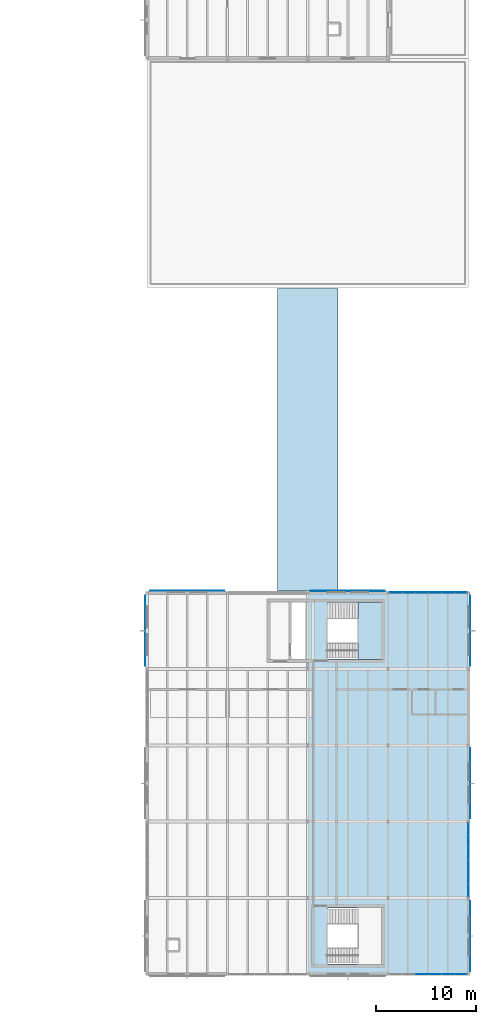
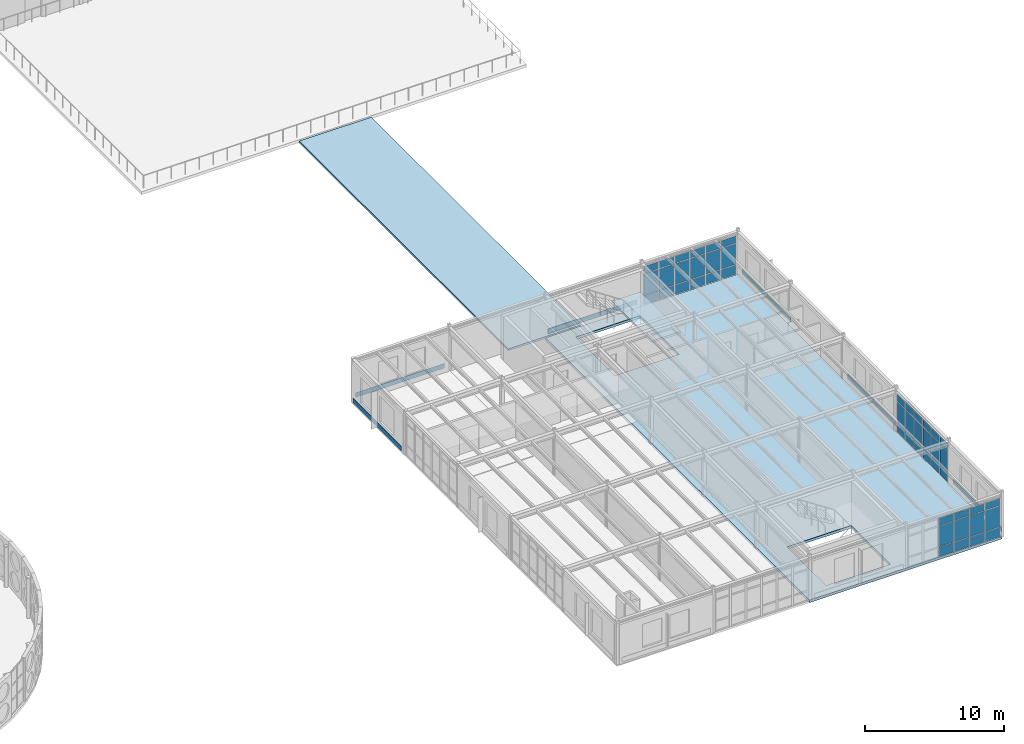
# One storey, part 76 of 114: 54 plates, 3 slabs, 4 elements without a shape of their own.
"""IFC4 building model written with IfcOpenShell, lengths in metres."""

from ifc_helpers import new_model, si_unit, direction, frame, origin, origin_2d, place, context, subcontext, project, spatial, polyline, rectangle, outline, extrude, material, layer, layer_set, type_object, element, aggregate, save


model = new_model("IFC4")

# Units and contexts
model_context = context("Model", 3, precision=1e-05, world=origin(), true_north=direction((0.0, 1.0)))
body_context = subcontext(model_context, "Body", "Model", "MODEL_VIEW")
ifc_project = project(units=[si_unit("LENGTHUNIT", "METRE"), si_unit("AREAUNIT", "SQUARE_METRE"), si_unit("VOLUMEUNIT", "CUBIC_METRE"), si_unit("PLANEANGLEUNIT", "RADIAN"), si_unit("MASSUNIT", "GRAM", prefix="KILO")], contexts=[model_context])

# Site, building, storey
site_placement = place(None, origin())
site = spatial("IfcSite", under=ifc_project, at=site_placement, CompositionType="ELEMENT")
building_placement = place(site_placement, origin())
building = spatial("IfcBuilding", under=site, at=building_placement, Name="Montecoro Central Library", CompositionType="ELEMENT")
storey_placement = place(building_placement, frame((0.0, 0.0, 13.260009765625)))
storey = spatial("IfcBuildingStorey", under=building, at=storey_placement, Name="L03", CompositionType="ELEMENT", Elevation=13.260009765625)

# Curtain wall, plates
ifc_material_1 = material(Name="Bronze-anodised aluminium and low-E glazing", Category="aluminium")
ifc_layer_1 = layer(ifc_material_1, 0.159912109375)
ifc_layer_set_1 = layer_set([ifc_layer_1], Name="Bronze-anodised aluminium and low-E glazing")
curtain_wall_type_1 = type_object("IfcCurtainWallType", Name="CWT-069", PredefinedType="NOTDEFINED", material=ifc_layer_set_1)
curtain_wall_1_placement = place(storey_placement, origin())
curtain_wall_1 = element("IfcCurtainWall", 1, at=curtain_wall_1_placement, inside=storey, type_object=curtain_wall_type_1, Name="V6-L03-CW-E1", PredefinedType="NOTDEFINED")
ifc_material_2 = material(Name="Laminated low-E double glazing", Category="glass")
ifc_layer_2 = layer(ifc_material_2, 0.02587890625)
ifc_layer_set_2 = layer_set([ifc_layer_2], Name="Laminated low-E double glazing")
plate_type_1 = type_object("IfcPlateType", Name="CWP-GLZ-01", PredefinedType="CURTAIN_PANEL", material=ifc_layer_set_2)
plate_1_placement = place(storey_placement, frame((173.0, 13.342529296875, 0.06005859375), z_axis=(0.0, 0.0, 1.0), x_axis=(0.0, 1.0, 0.0)))
plate_1 = element("IfcPlate", 2, at=plate_1_placement, type_object=plate_type_1, Name="CW-069 panel 1.1", PredefinedType="CURTAIN_PANEL", context=body_context, shape_type="SweptSolid", body=[
    extrude(rectangle(XDim=1.138916015625, YDim=0.02587890625, at=origin_2d()), origin(), (0.0, 0.0, 1.0), 0.81005859375),
])
plate_2_placement = place(storey_placement, frame((173.0, 13.342529296875, 0.93017578125), z_axis=(0.0, 0.0, 1.0), x_axis=(0.0, 1.0, 0.0)))
plate_2 = element("IfcPlate", 3, at=plate_2_placement, type_object=plate_type_1, Name="CW-069 panel 1.2", PredefinedType="CURTAIN_PANEL", context=body_context, shape_type="SweptSolid", body=[
    extrude(rectangle(XDim=1.138916015625, YDim=0.02587890625, at=origin_2d()), origin(), (0.0, 0.0, 1.0), 1.820068359375),
])
plate_3_placement = place(storey_placement, frame((173.0, 13.342529296875, 2.81005859375), z_axis=(0.0, 0.0, 1.0), x_axis=(0.0, 1.0, 0.0)))
plate_3 = element("IfcPlate", 4, at=plate_3_placement, type_object=plate_type_1, Name="CW-069 panel 1.3", PredefinedType="CURTAIN_PANEL", context=body_context, shape_type="SweptSolid", body=[
    extrude(rectangle(XDim=1.138916015625, YDim=0.02587890625, at=origin_2d()), origin(), (0.0, 0.0, 1.0), 0.610107421875),
])
plate_4_placement = place(storey_placement, frame((173.0, 14.556396484375, 0.06005859375), z_axis=(0.0, 0.0, 1.0), x_axis=(0.0, 1.0, 0.0)))
plate_4 = element("IfcPlate", 5, at=plate_4_placement, type_object=plate_type_1, Name="CW-069 panel 2.1", PredefinedType="CURTAIN_PANEL", context=body_context, shape_type="SweptSolid", body=[
    extrude(rectangle(XDim=1.1689453125, YDim=0.02587890625, at=origin_2d()), origin(), (0.0, 0.0, 1.0), 0.81005859375),
])
plate_5_placement = place(storey_placement, frame((173.0, 14.556396484375, 0.93017578125), z_axis=(0.0, 0.0, 1.0), x_axis=(0.0, 1.0, 0.0)))
plate_5 = element("IfcPlate", 6, at=plate_5_placement, type_object=plate_type_1, Name="CW-069 panel 2.2", PredefinedType="CURTAIN_PANEL", context=body_context, shape_type="SweptSolid", body=[
    extrude(rectangle(XDim=1.1689453125, YDim=0.02587890625, at=origin_2d()), origin(), (0.0, 0.0, 1.0), 1.820068359375),
])
plate_6_placement = place(storey_placement, frame((173.0, 14.556396484375, 2.81005859375), z_axis=(0.0, 0.0, 1.0), x_axis=(0.0, 1.0, 0.0)))
plate_6 = element("IfcPlate", 7, at=plate_6_placement, type_object=plate_type_1, Name="CW-069 panel 2.3", PredefinedType="CURTAIN_PANEL", context=body_context, shape_type="SweptSolid", body=[
    extrude(rectangle(XDim=1.1689453125, YDim=0.02587890625, at=origin_2d()), origin(), (0.0, 0.0, 1.0), 0.610107421875),
])
plate_7_placement = place(storey_placement, frame((173.0, 15.785400390625, 0.06005859375), z_axis=(0.0, 0.0, 1.0), x_axis=(0.0, 1.0, 0.0)))
plate_7 = element("IfcPlate", 8, at=plate_7_placement, type_object=plate_type_1, Name="CW-069 panel 3.1", PredefinedType="CURTAIN_PANEL", context=body_context, shape_type="SweptSolid", body=[
    extrude(rectangle(XDim=1.1689453125, YDim=0.02587890625, at=origin_2d()), origin(), (0.0, 0.0, 1.0), 0.81005859375),
])
plate_8_placement = place(storey_placement, frame((173.0, 15.785400390625, 0.93017578125), z_axis=(0.0, 0.0, 1.0), x_axis=(0.0, 1.0, 0.0)))
plate_8 = element("IfcPlate", 9, at=plate_8_placement, type_object=plate_type_1, Name="CW-069 panel 3.2", PredefinedType="CURTAIN_PANEL", context=body_context, shape_type="SweptSolid", body=[
    extrude(rectangle(XDim=1.1689453125, YDim=0.02587890625, at=origin_2d()), origin(), (0.0, 0.0, 1.0), 1.820068359375),
])
plate_9_placement = place(storey_placement, frame((173.0, 15.785400390625, 2.81005859375), z_axis=(0.0, 0.0, 1.0), x_axis=(0.0, 1.0, 0.0)))
plate_9 = element("IfcPlate", 10, at=plate_9_placement, type_object=plate_type_1, Name="CW-069 panel 3.3", PredefinedType="CURTAIN_PANEL", context=body_context, shape_type="SweptSolid", body=[
    extrude(rectangle(XDim=1.1689453125, YDim=0.02587890625, at=origin_2d()), origin(), (0.0, 0.0, 1.0), 0.610107421875),
])
plate_10_placement = place(storey_placement, frame((173.0, 17.014404296875, 0.06005859375), z_axis=(0.0, 0.0, 1.0), x_axis=(0.0, 1.0, 0.0)))
plate_10 = element("IfcPlate", 11, at=plate_10_placement, type_object=plate_type_1, Name="CW-069 panel 4.1", PredefinedType="CURTAIN_PANEL", context=body_context, shape_type="SweptSolid", body=[
    extrude(rectangle(XDim=1.1689453125, YDim=0.02587890625, at=origin_2d()), origin(), (0.0, 0.0, 1.0), 0.81005859375),
])
plate_11_placement = place(storey_placement, frame((173.0, 17.014404296875, 0.93017578125), z_axis=(0.0, 0.0, 1.0), x_axis=(0.0, 1.0, 0.0)))
plate_11 = element("IfcPlate", 12, at=plate_11_placement, type_object=plate_type_1, Name="CW-069 panel 4.2", PredefinedType="CURTAIN_PANEL", context=body_context, shape_type="SweptSolid", body=[
    extrude(rectangle(XDim=1.1689453125, YDim=0.02587890625, at=origin_2d()), origin(), (0.0, 0.0, 1.0), 1.820068359375),
])
plate_12_placement = place(storey_placement, frame((173.0, 17.014404296875, 2.81005859375), z_axis=(0.0, 0.0, 1.0), x_axis=(0.0, 1.0, 0.0)))
plate_12 = element("IfcPlate", 13, at=plate_12_placement, type_object=plate_type_1, Name="CW-069 panel 4.3", PredefinedType="CURTAIN_PANEL", context=body_context, shape_type="SweptSolid", body=[
    extrude(rectangle(XDim=1.1689453125, YDim=0.02587890625, at=origin_2d()), origin(), (0.0, 0.0, 1.0), 0.610107421875),
])
plate_13_placement = place(storey_placement, frame((173.0, 18.243408203125, 0.06005859375), z_axis=(0.0, 0.0, 1.0), x_axis=(0.0, 1.0, 0.0)))
plate_13 = element("IfcPlate", 14, at=plate_13_placement, type_object=plate_type_1, Name="CW-069 panel 5.1", PredefinedType="CURTAIN_PANEL", context=body_context, shape_type="SweptSolid", body=[
    extrude(rectangle(XDim=1.1689453125, YDim=0.02587890625, at=origin_2d()), origin(), (0.0, 0.0, 1.0), 0.81005859375),
])
plate_14_placement = place(storey_placement, frame((173.0, 18.243408203125, 0.93017578125), z_axis=(0.0, 0.0, 1.0), x_axis=(0.0, 1.0, 0.0)))
plate_14 = element("IfcPlate", 15, at=plate_14_placement, type_object=plate_type_1, Name="CW-069 panel 5.2", PredefinedType="CURTAIN_PANEL", context=body_context, shape_type="SweptSolid", body=[
    extrude(rectangle(XDim=1.1689453125, YDim=0.02587890625, at=origin_2d()), origin(), (0.0, 0.0, 1.0), 1.820068359375),
])
plate_15_placement = place(storey_placement, frame((173.0, 18.243408203125, 2.81005859375), z_axis=(0.0, 0.0, 1.0), x_axis=(0.0, 1.0, 0.0)))
plate_15 = element("IfcPlate", 16, at=plate_15_placement, type_object=plate_type_1, Name="CW-069 panel 5.3", PredefinedType="CURTAIN_PANEL", context=body_context, shape_type="SweptSolid", body=[
    extrude(rectangle(XDim=1.1689453125, YDim=0.02587890625, at=origin_2d()), origin(), (0.0, 0.0, 1.0), 0.610107421875),
])
plate_16_placement = place(storey_placement, frame((173.0, 19.45751953125, 0.06005859375), z_axis=(0.0, 0.0, 1.0), x_axis=(0.0, 1.0, 0.0)))
plate_16 = element("IfcPlate", 17, at=plate_16_placement, type_object=plate_type_1, Name="CW-069 panel 6.1", PredefinedType="CURTAIN_PANEL", context=body_context, shape_type="SweptSolid", body=[
    extrude(rectangle(XDim=1.138916015625, YDim=0.02587890625, at=origin_2d()), origin(), (0.0, 0.0, 1.0), 0.81005859375),
])
plate_17_placement = place(storey_placement, frame((173.0, 19.45751953125, 0.93017578125), z_axis=(0.0, 0.0, 1.0), x_axis=(0.0, 1.0, 0.0)))
plate_17 = element("IfcPlate", 18, at=plate_17_placement, type_object=plate_type_1, Name="CW-069 panel 6.2", PredefinedType="CURTAIN_PANEL", context=body_context, shape_type="SweptSolid", body=[
    extrude(rectangle(XDim=1.138916015625, YDim=0.02587890625, at=origin_2d()), origin(), (0.0, 0.0, 1.0), 1.820068359375),
])
plate_18_placement = place(storey_placement, frame((173.0, 19.45751953125, 2.81005859375), z_axis=(0.0, 0.0, 1.0), x_axis=(0.0, 1.0, 0.0)))
plate_18 = element("IfcPlate", 19, at=plate_18_placement, type_object=plate_type_1, Name="CW-069 panel 6.3", PredefinedType="CURTAIN_PANEL", context=body_context, shape_type="SweptSolid", body=[
    extrude(rectangle(XDim=1.138916015625, YDim=0.02587890625, at=origin_2d()), origin(), (0.0, 0.0, 1.0), 0.610107421875),
])
aggregate(curtain_wall_1, [plate_1, plate_2, plate_3, plate_4, plate_5, plate_6, plate_7, plate_8, plate_9, plate_10, plate_11, plate_12, plate_13, plate_14, plate_15, plate_16, plate_17, plate_18])

ifc_layer_3 = layer(ifc_material_1, 0.159912109375)
ifc_layer_set_3 = layer_set([ifc_layer_3], Name="Bronze-anodised aluminium and low-E glazing")
curtain_wall_type_2 = type_object("IfcCurtainWallType", Name="CWT-068", PredefinedType="NOTDEFINED", material=ifc_layer_set_3)
curtain_wall_2_placement = place(storey_placement, origin())
curtain_wall_2 = element("IfcCurtainWall", 20, at=curtain_wall_2_placement, inside=storey, type_object=curtain_wall_type_2, Name="V6-L03-CW-S3", PredefinedType="NOTDEFINED")
ifc_layer_4 = layer(ifc_material_2, 0.033935546875)
ifc_layer_set_4 = layer_set([ifc_layer_4], Name="Laminated low-E double glazing")
plate_type_2 = type_object("IfcPlateType", Name="CWP-GLZ-03", PredefinedType="CURTAIN_PANEL", material=ifc_layer_set_4)
plate_19_placement = place(storey_placement, frame((168.35205078125, 5.0, 0.06005859375), z_axis=(0.0, 0.0, 1.0), x_axis=(1.0, 0.0, 0.0)))
plate_19 = element("IfcPlate", 21, at=plate_19_placement, type_object=plate_type_2, Name="CW-068 panel 3.1", PredefinedType="CURTAIN_PANEL", context=body_context, shape_type="SweptSolid", body=[
    extrude(rectangle(XDim=1.235595703125, YDim=0.033935546875, at=origin_2d()), origin(), (0.0, 0.0, 1.0), 0.81005859375),
])
plate_20_placement = place(storey_placement, frame((168.35205078125, 5.0, 0.93017578125), z_axis=(0.0, 0.0, 1.0), x_axis=(1.0, 0.0, 0.0)))
plate_20 = element("IfcPlate", 22, at=plate_20_placement, type_object=plate_type_2, Name="CW-068 panel 3.2", PredefinedType="CURTAIN_PANEL", context=body_context, shape_type="SweptSolid", body=[
    extrude(rectangle(XDim=1.235595703125, YDim=0.033935546875, at=origin_2d()), origin(), (0.0, 0.0, 1.0), 1.820068359375),
])
plate_21_placement = place(storey_placement, frame((168.35205078125, 5.0, 2.81005859375), z_axis=(0.0, 0.0, 1.0), x_axis=(1.0, 0.0, 0.0)))
plate_21 = element("IfcPlate", 23, at=plate_21_placement, type_object=plate_type_2, Name="CW-068 panel 3.3", PredefinedType="CURTAIN_PANEL", context=body_context, shape_type="SweptSolid", body=[
    extrude(rectangle(XDim=1.235595703125, YDim=0.033935546875, at=origin_2d()), origin(), (0.0, 0.0, 1.0), 0.610107421875),
])
plate_22_placement = place(storey_placement, frame((169.64794921875, 5.0, 0.06005859375), z_axis=(0.0, 0.0, 1.0), x_axis=(1.0, 0.0, 0.0)))
plate_22 = element("IfcPlate", 24, at=plate_22_placement, type_object=plate_type_2, Name="CW-068 panel 4.1", PredefinedType="CURTAIN_PANEL", context=body_context, shape_type="SweptSolid", body=[
    extrude(rectangle(XDim=1.235595703125, YDim=0.033935546875, at=origin_2d()), origin(), (0.0, 0.0, 1.0), 0.81005859375),
])
plate_23_placement = place(storey_placement, frame((169.64794921875, 5.0, 0.93017578125), z_axis=(0.0, 0.0, 1.0), x_axis=(1.0, 0.0, 0.0)))
plate_23 = element("IfcPlate", 25, at=plate_23_placement, type_object=plate_type_2, Name="CW-068 panel 4.2", PredefinedType="CURTAIN_PANEL", context=body_context, shape_type="SweptSolid", body=[
    extrude(rectangle(XDim=1.235595703125, YDim=0.033935546875, at=origin_2d()), origin(), (0.0, 0.0, 1.0), 1.820068359375),
])
plate_24_placement = place(storey_placement, frame((169.64794921875, 5.0, 2.81005859375), z_axis=(0.0, 0.0, 1.0), x_axis=(1.0, 0.0, 0.0)))
plate_24 = element("IfcPlate", 26, at=plate_24_placement, type_object=plate_type_2, Name="CW-068 panel 4.3", PredefinedType="CURTAIN_PANEL", context=body_context, shape_type="SweptSolid", body=[
    extrude(rectangle(XDim=1.235595703125, YDim=0.033935546875, at=origin_2d()), origin(), (0.0, 0.0, 1.0), 0.610107421875),
])
plate_25_placement = place(storey_placement, frame((170.943603515625, 5.0, 0.06005859375), z_axis=(0.0, 0.0, 1.0), x_axis=(1.0, 0.0, 0.0)))
plate_25 = element("IfcPlate", 27, at=plate_25_placement, type_object=plate_type_2, Name="CW-068 panel 5.1", PredefinedType="CURTAIN_PANEL", context=body_context, shape_type="SweptSolid", body=[
    extrude(rectangle(XDim=1.235595703125, YDim=0.033935546875, at=origin_2d()), origin(), (0.0, 0.0, 1.0), 0.81005859375),
])
plate_26_placement = place(storey_placement, frame((170.943603515625, 5.0, 0.93017578125), z_axis=(0.0, 0.0, 1.0), x_axis=(1.0, 0.0, 0.0)))
plate_26 = element("IfcPlate", 28, at=plate_26_placement, type_object=plate_type_2, Name="CW-068 panel 5.2", PredefinedType="CURTAIN_PANEL", context=body_context, shape_type="SweptSolid", body=[
    extrude(rectangle(XDim=1.235595703125, YDim=0.033935546875, at=origin_2d()), origin(), (0.0, 0.0, 1.0), 1.820068359375),
])
plate_27_placement = place(storey_placement, frame((170.943603515625, 5.0, 2.81005859375), z_axis=(0.0, 0.0, 1.0), x_axis=(1.0, 0.0, 0.0)))
plate_27 = element("IfcPlate", 29, at=plate_27_placement, type_object=plate_type_2, Name="CW-068 panel 5.3", PredefinedType="CURTAIN_PANEL", context=body_context, shape_type="SweptSolid", body=[
    extrude(rectangle(XDim=1.235595703125, YDim=0.033935546875, at=origin_2d()), origin(), (0.0, 0.0, 1.0), 0.610107421875),
])
plate_28_placement = place(storey_placement, frame((172.22412109375, 5.0, 0.06005859375), z_axis=(0.0, 0.0, 1.0), x_axis=(1.0, 0.0, 0.0)))
plate_28 = element("IfcPlate", 30, at=plate_28_placement, type_object=plate_type_2, Name="CW-068 panel 6.1", PredefinedType="CURTAIN_PANEL", context=body_context, shape_type="SweptSolid", body=[
    extrude(rectangle(XDim=1.20556640625, YDim=0.033935546875, at=origin_2d()), origin(), (0.0, 0.0, 1.0), 0.81005859375),
])
plate_29_placement = place(storey_placement, frame((172.22412109375, 5.0, 0.93017578125), z_axis=(0.0, 0.0, 1.0), x_axis=(1.0, 0.0, 0.0)))
plate_29 = element("IfcPlate", 31, at=plate_29_placement, type_object=plate_type_2, Name="CW-068 panel 6.2", PredefinedType="CURTAIN_PANEL", context=body_context, shape_type="SweptSolid", body=[
    extrude(rectangle(XDim=1.20556640625, YDim=0.033935546875, at=origin_2d()), origin(), (0.0, 0.0, 1.0), 1.820068359375),
])
plate_30_placement = place(storey_placement, frame((172.22412109375, 5.0, 2.81005859375), z_axis=(0.0, 0.0, 1.0), x_axis=(1.0, 0.0, 0.0)))
plate_30 = element("IfcPlate", 32, at=plate_30_placement, type_object=plate_type_2, Name="CW-068 panel 6.3", PredefinedType="CURTAIN_PANEL", context=body_context, shape_type="SweptSolid", body=[
    extrude(rectangle(XDim=1.20556640625, YDim=0.033935546875, at=origin_2d()), origin(), (0.0, 0.0, 1.0), 0.610107421875),
])
aggregate(curtain_wall_2, [plate_19, plate_20, plate_21, plate_22, plate_23, plate_24, plate_25, plate_26, plate_27, plate_28, plate_29, plate_30])

ifc_layer_5 = layer(ifc_material_1, 0.159912109375)
ifc_layer_set_5 = layer_set([ifc_layer_5], Name="Bronze-anodised aluminium and low-E glazing")
curtain_wall_type_3 = type_object("IfcCurtainWallType", Name="CWT-070", PredefinedType="NOTDEFINED", material=ifc_layer_set_5)
curtain_wall_3_placement = place(storey_placement, origin())
curtain_wall_3 = element("IfcCurtainWall", 33, at=curtain_wall_3_placement, inside=storey, type_object=curtain_wall_type_3, Name="V6-L03-CW-N3", PredefinedType="NOTDEFINED")
plate_31_placement = place(storey_placement, frame((172.22412109375, 43.0, 0.06005859375), z_axis=(0.0, 0.0, 1.0), x_axis=(-1.0, 0.0, 0.0)))
plate_31 = element("IfcPlate", 34, at=plate_31_placement, type_object=plate_type_2, Name="CW-070 panel 1.1", PredefinedType="CURTAIN_PANEL", context=body_context, shape_type="SweptSolid", body=[
    extrude(rectangle(XDim=1.20556640625, YDim=0.033935546875, at=origin_2d()), origin(), (0.0, 0.0, 1.0), 0.81005859375),
])
plate_32_placement = place(storey_placement, frame((172.22412109375, 43.0, 0.93017578125), z_axis=(0.0, 0.0, 1.0), x_axis=(-1.0, 0.0, 0.0)))
plate_32 = element("IfcPlate", 35, at=plate_32_placement, type_object=plate_type_2, Name="CW-070 panel 1.2", PredefinedType="CURTAIN_PANEL", context=body_context, shape_type="SweptSolid", body=[
    extrude(rectangle(XDim=1.20556640625, YDim=0.033935546875, at=origin_2d()), origin(), (0.0, 0.0, 1.0), 1.820068359375),
])
plate_33_placement = place(storey_placement, frame((172.22412109375, 43.0, 2.81005859375), z_axis=(0.0, 0.0, 1.0), x_axis=(-1.0, 0.0, 0.0)))
plate_33 = element("IfcPlate", 36, at=plate_33_placement, type_object=plate_type_2, Name="CW-070 panel 1.3", PredefinedType="CURTAIN_PANEL", context=body_context, shape_type="SweptSolid", body=[
    extrude(rectangle(XDim=1.20556640625, YDim=0.033935546875, at=origin_2d()), origin(), (0.0, 0.0, 1.0), 0.610107421875),
])
plate_34_placement = place(storey_placement, frame((170.943603515625, 43.0, 0.06005859375), z_axis=(0.0, 0.0, 1.0), x_axis=(-1.0, 0.0, 0.0)))
plate_34 = element("IfcPlate", 37, at=plate_34_placement, type_object=plate_type_2, Name="CW-070 panel 2.1", PredefinedType="CURTAIN_PANEL", context=body_context, shape_type="SweptSolid", body=[
    extrude(rectangle(XDim=1.235595703125, YDim=0.033935546875, at=origin_2d()), origin(), (0.0, 0.0, 1.0), 0.81005859375),
])
plate_35_placement = place(storey_placement, frame((170.943603515625, 43.0, 0.93017578125), z_axis=(0.0, 0.0, 1.0), x_axis=(-1.0, 0.0, 0.0)))
plate_35 = element("IfcPlate", 38, at=plate_35_placement, type_object=plate_type_2, Name="CW-070 panel 2.2", PredefinedType="CURTAIN_PANEL", context=body_context, shape_type="SweptSolid", body=[
    extrude(rectangle(XDim=1.235595703125, YDim=0.033935546875, at=origin_2d()), origin(), (0.0, 0.0, 1.0), 1.820068359375),
])
plate_36_placement = place(storey_placement, frame((170.943603515625, 43.0, 2.81005859375), z_axis=(0.0, 0.0, 1.0), x_axis=(-1.0, 0.0, 0.0)))
plate_36 = element("IfcPlate", 39, at=plate_36_placement, type_object=plate_type_2, Name="CW-070 panel 2.3", PredefinedType="CURTAIN_PANEL", context=body_context, shape_type="SweptSolid", body=[
    extrude(rectangle(XDim=1.235595703125, YDim=0.033935546875, at=origin_2d()), origin(), (0.0, 0.0, 1.0), 0.610107421875),
])
plate_37_placement = place(storey_placement, frame((169.64794921875, 43.0, 0.06005859375), z_axis=(0.0, 0.0, 1.0), x_axis=(-1.0, 0.0, 0.0)))
plate_37 = element("IfcPlate", 40, at=plate_37_placement, type_object=plate_type_2, Name="CW-070 panel 3.1", PredefinedType="CURTAIN_PANEL", context=body_context, shape_type="SweptSolid", body=[
    extrude(rectangle(XDim=1.235595703125, YDim=0.033935546875, at=origin_2d()), origin(), (0.0, 0.0, 1.0), 0.81005859375),
])
plate_38_placement = place(storey_placement, frame((169.64794921875, 43.0, 0.93017578125), z_axis=(0.0, 0.0, 1.0), x_axis=(-1.0, 0.0, 0.0)))
plate_38 = element("IfcPlate", 41, at=plate_38_placement, type_object=plate_type_2, Name="CW-070 panel 3.2", PredefinedType="CURTAIN_PANEL", context=body_context, shape_type="SweptSolid", body=[
    extrude(rectangle(XDim=1.235595703125, YDim=0.033935546875, at=origin_2d()), origin(), (0.0, 0.0, 1.0), 1.820068359375),
])
plate_39_placement = place(storey_placement, frame((169.64794921875, 43.0, 2.81005859375), z_axis=(0.0, 0.0, 1.0), x_axis=(-1.0, 0.0, 0.0)))
plate_39 = element("IfcPlate", 42, at=plate_39_placement, type_object=plate_type_2, Name="CW-070 panel 3.3", PredefinedType="CURTAIN_PANEL", context=body_context, shape_type="SweptSolid", body=[
    extrude(rectangle(XDim=1.235595703125, YDim=0.033935546875, at=origin_2d()), origin(), (0.0, 0.0, 1.0), 0.610107421875),
])
plate_40_placement = place(storey_placement, frame((168.35205078125, 43.0, 0.06005859375), z_axis=(0.0, 0.0, 1.0), x_axis=(-1.0, 0.0, 0.0)))
plate_40 = element("IfcPlate", 43, at=plate_40_placement, type_object=plate_type_2, Name="CW-070 panel 4.1", PredefinedType="CURTAIN_PANEL", context=body_context, shape_type="SweptSolid", body=[
    extrude(rectangle(XDim=1.235595703125, YDim=0.033935546875, at=origin_2d()), origin(), (0.0, 0.0, 1.0), 0.81005859375),
])
plate_41_placement = place(storey_placement, frame((168.35205078125, 43.0, 0.93017578125), z_axis=(0.0, 0.0, 1.0), x_axis=(-1.0, 0.0, 0.0)))
plate_41 = element("IfcPlate", 44, at=plate_41_placement, type_object=plate_type_2, Name="CW-070 panel 4.2", PredefinedType="CURTAIN_PANEL", context=body_context, shape_type="SweptSolid", body=[
    extrude(rectangle(XDim=1.235595703125, YDim=0.033935546875, at=origin_2d()), origin(), (0.0, 0.0, 1.0), 1.820068359375),
])
plate_42_placement = place(storey_placement, frame((168.35205078125, 43.0, 2.81005859375), z_axis=(0.0, 0.0, 1.0), x_axis=(-1.0, 0.0, 0.0)))
plate_42 = element("IfcPlate", 45, at=plate_42_placement, type_object=plate_type_2, Name="CW-070 panel 4.3", PredefinedType="CURTAIN_PANEL", context=body_context, shape_type="SweptSolid", body=[
    extrude(rectangle(XDim=1.235595703125, YDim=0.033935546875, at=origin_2d()), origin(), (0.0, 0.0, 1.0), 0.610107421875),
])
plate_43_placement = place(storey_placement, frame((167.056396484375, 43.0, 0.06005859375), z_axis=(0.0, 0.0, 1.0), x_axis=(-1.0, 0.0, 0.0)))
plate_43 = element("IfcPlate", 46, at=plate_43_placement, type_object=plate_type_2, Name="CW-070 panel 5.1", PredefinedType="CURTAIN_PANEL", context=body_context, shape_type="SweptSolid", body=[
    extrude(rectangle(XDim=1.235595703125, YDim=0.033935546875, at=origin_2d()), origin(), (0.0, 0.0, 1.0), 0.81005859375),
])
plate_44_placement = place(storey_placement, frame((167.056396484375, 43.0, 0.93017578125), z_axis=(0.0, 0.0, 1.0), x_axis=(-1.0, 0.0, 0.0)))
plate_44 = element("IfcPlate", 47, at=plate_44_placement, type_object=plate_type_2, Name="CW-070 panel 5.2", PredefinedType="CURTAIN_PANEL", context=body_context, shape_type="SweptSolid", body=[
    extrude(rectangle(XDim=1.235595703125, YDim=0.033935546875, at=origin_2d()), origin(), (0.0, 0.0, 1.0), 1.820068359375),
])
plate_45_placement = place(storey_placement, frame((167.056396484375, 43.0, 2.81005859375), z_axis=(0.0, 0.0, 1.0), x_axis=(-1.0, 0.0, 0.0)))
plate_45 = element("IfcPlate", 48, at=plate_45_placement, type_object=plate_type_2, Name="CW-070 panel 5.3", PredefinedType="CURTAIN_PANEL", context=body_context, shape_type="SweptSolid", body=[
    extrude(rectangle(XDim=1.235595703125, YDim=0.033935546875, at=origin_2d()), origin(), (0.0, 0.0, 1.0), 0.610107421875),
])
plate_46_placement = place(storey_placement, frame((165.77587890625, 43.0, 0.06005859375), z_axis=(0.0, 0.0, 1.0), x_axis=(-1.0, 0.0, 0.0)))
plate_46 = element("IfcPlate", 49, at=plate_46_placement, type_object=plate_type_2, Name="CW-070 panel 6.1", PredefinedType="CURTAIN_PANEL", context=body_context, shape_type="SweptSolid", body=[
    extrude(rectangle(XDim=1.20556640625, YDim=0.033935546875, at=origin_2d()), origin(), (0.0, 0.0, 1.0), 0.81005859375),
])
plate_47_placement = place(storey_placement, frame((165.77587890625, 43.0, 0.93017578125), z_axis=(0.0, 0.0, 1.0), x_axis=(-1.0, 0.0, 0.0)))
plate_47 = element("IfcPlate", 50, at=plate_47_placement, type_object=plate_type_2, Name="CW-070 panel 6.2", PredefinedType="CURTAIN_PANEL", context=body_context, shape_type="SweptSolid", body=[
    extrude(rectangle(XDim=1.20556640625, YDim=0.033935546875, at=origin_2d()), origin(), (0.0, 0.0, 1.0), 1.820068359375),
])
plate_48_placement = place(storey_placement, frame((165.77587890625, 43.0, 2.81005859375), z_axis=(0.0, 0.0, 1.0), x_axis=(-1.0, 0.0, 0.0)))
plate_48 = element("IfcPlate", 51, at=plate_48_placement, type_object=plate_type_2, Name="CW-070 panel 6.3", PredefinedType="CURTAIN_PANEL", context=body_context, shape_type="SweptSolid", body=[
    extrude(rectangle(XDim=1.20556640625, YDim=0.033935546875, at=origin_2d()), origin(), (0.0, 0.0, 1.0), 0.610107421875),
])
aggregate(curtain_wall_3, [plate_31, plate_32, plate_33, plate_34, plate_35, plate_36, plate_37, plate_38, plate_39, plate_40, plate_41, plate_42, plate_43, plate_44, plate_45, plate_46, plate_47, plate_48])

# Plates
ifc_material_3 = material(Name="Architectural bronze spandrel plate", Category="aluminium")
ifc_layer_6 = layer(ifc_material_3, 0.02197265625)
ifc_layer_set_6 = layer_set([ifc_layer_6], Name="Architectural bronze spandrel plate")
plate_type_3 = type_object("IfcPlateType", Name="PLT-SPN-01", PredefinedType="SHEET", material=ifc_layer_set_6)
for number, where, z_axis, x_axis, name in (
    (52, (173.173583984375, 8.800048828125, 0.16015625), (0.0, 0.0, 1.0), (0.0, 1.0, 0.0), "V6-L03-SPN-E0"),
    (53, (173.173583984375, 39.199951171875, 0.16015625), (0.0, 0.0, 1.0), (0.0, 1.0, 0.0), "V6-L03-SPN-E4"),
):
    element("IfcPlate", number, at=place(storey_placement, frame(where, z_axis=z_axis, x_axis=x_axis)), inside=storey, type_object=plate_type_3, Name=name, PredefinedType="SHEET", context=body_context, shape_type="SweptSolid", body=[
        extrude(rectangle(XDim=6.97412109375, YDim=0.02197265625, at=origin_2d()), origin(), (0.0, 0.0, 1.0), 0.39990234375),
    ])
plate_49_placement = place(storey_placement, frame((145.0, 43.173583984375, 0.16015625), z_axis=(0.0, 0.0, 1.0), x_axis=(-1.0, 0.0, 0.0)))
element("IfcPlate", 54, at=plate_49_placement, inside=storey, type_object=plate_type_3, Name="V6-L03-SPN-N0", PredefinedType="SHEET", context=body_context, shape_type="SweptSolid", body=[
    extrude(rectangle(XDim=7.3740234375, YDim=0.02197265625, at=origin_2d()), origin(), (0.0, 0.0, 1.0), 0.39990234375),
])
plate_50_placement = place(storey_placement, frame((140.826416015625, 39.199951171875, 0.16015625), z_axis=(0.0, 0.0, 1.0), x_axis=(0.0, -1.0, 0.0)))
element("IfcPlate", 55, at=plate_50_placement, inside=storey, type_object=plate_type_3, Name="V6-L03-SPN-W4", PredefinedType="SHEET", context=body_context, shape_type="SweptSolid", body=[
    extrude(rectangle(XDim=6.97412109375, YDim=0.02197265625, at=origin_2d()), origin(), (0.0, 0.0, 1.0), 0.39990234375),
])
ifc_layer_7 = layer(ifc_material_3, 0.035888671875)
ifc_layer_set_7 = layer_set([ifc_layer_7], Name="Architectural bronze spandrel plate")
plate_type_4 = type_object("IfcPlateType", Name="PLT-SPN-03", PredefinedType="SHEET", material=ifc_layer_set_7)
plate_51_placement = place(storey_placement, frame((173.180419921875, 24.0, 0.16015625), z_axis=(0.0, 0.0, 1.0), x_axis=(0.0, 1.0, 0.0)))
element("IfcPlate", 56, at=plate_51_placement, inside=storey, type_object=plate_type_4, Name="V6-L03-SPN-E2", PredefinedType="SHEET", context=body_context, shape_type="SweptSolid", body=[
    extrude(rectangle(XDim=6.97412109375, YDim=0.035888671875, at=origin_2d()), origin(), (0.0, 0.0, 1.0), 0.39990234375),
])
plate_52_placement = place(storey_placement, frame((161.0, 43.180419921875, 0.16015625), z_axis=(0.0, 0.0, 1.0), x_axis=(-1.0, 0.0, 0.0)))
element("IfcPlate", 57, at=plate_52_placement, inside=storey, type_object=plate_type_4, Name="V6-L03-SPN-N2", PredefinedType="SHEET", context=body_context, shape_type="SweptSolid", body=[
    extrude(rectangle(XDim=7.3740234375, YDim=0.035888671875, at=origin_2d()), origin(), (0.0, 0.0, 1.0), 0.39990234375),
])

# Slab
ifc_material_4 = material(Name="Concrete C32/40", Category="concrete")
ifc_layer_8 = layer(ifc_material_4, 0.22509765625)
ifc_layer_set_8 = layer_set([ifc_layer_8], Name="Concrete C32/40")
slab_type_1 = type_object("IfcSlabType", Name="SL-FLR-225", PredefinedType="FLOOR", material=ifc_layer_set_8)
slab_1_placement = place(storey_placement, frame((0.0, 0.0, -0.22509765625)))
element("IfcSlab", 58, at=slab_1_placement, inside=storey, type_object=slab_type_1, Name="V6-L03-SL3", PredefinedType="FLOOR", context=body_context, shape_type="SweptSolid", body=[
    extrude(outline(polyline([(157.0, 5.0), (173.0, 5.0), (173.0, 43.0), (157.0, 43.0), (157.0, 5.0)]), holes=[polyline([(158.9599609375, 42.0), (164.300048828125, 42.0), (164.300048828125, 36.39990234375), (158.9599609375, 36.39990234375), (158.9599609375, 42.0)]), polyline([(158.9599609375, 11.60009765625), (164.300048828125, 11.60009765625), (164.300048828125, 6.0), (158.9599609375, 6.0), (158.9599609375, 11.60009765625)])]), origin(), (0.0, 0.0, 1.0), 0.22509765625),
])

# Stair, slab
ifc_material_5 = material(Name="Concrete C35/45", Category="concrete")
stair_type = type_object("IfcStairType", Name="STR-RET-150", PredefinedType="HALF_TURN_STAIR", material=ifc_material_5)
stair_placement = place(storey_placement, origin())
stair = element("IfcStair", 59, at=stair_placement, inside=storey, type_object=stair_type, Name="C7-L03-STR", PredefinedType="HALF_TURN_STAIR")
ifc_layer_9 = layer(ifc_material_5, 0.199951171875)
ifc_layer_set_9 = layer_set([ifc_layer_9], Name="Concrete C35/45")
slab_type_2 = type_object("IfcSlabType", Name="SL-LND-200", PredefinedType="LANDING", material=ifc_layer_set_9)
slab_2_placement = place(storey_placement, frame((0.0, 0.0, 1.840087890625)))
slab_2 = element("IfcSlab", 60, at=slab_2_placement, type_object=slab_type_2, Name="ST-07 landing 1", PredefinedType="LANDING", context=body_context, shape_type="SweptSolid", body=[
    extrude(outline(polyline([(162.0, 36.320068359375), (164.3798828125, 36.320068359375), (164.3798828125, 42.080078125), (162.0, 42.080078125), (162.0, 36.320068359375)])), origin(), (0.0, 0.0, 1.0), 0.199951171875),
])
aggregate(stair, [slab_2])

# Slab
ifc_layer_10 = layer(ifc_material_4, 0.172119140625)
ifc_layer_set_10 = layer_set([ifc_layer_10], Name="Concrete C32/40")
slab_type_3 = type_object("IfcSlabType", Name="SL-ROOF-172", PredefinedType="ROOF", material=ifc_layer_set_10)
slab_3_placement = place(storey_placement, frame((0.0, 0.0, -0.172119140625)))
element("IfcSlab", 61, at=slab_3_placement, inside=storey, type_object=slab_type_3, Name="BR-E Skybridge Link Bridge Slab", PredefinedType="ROOF", context=body_context, shape_type="SweptSolid", body=[
    extrude(outline(polyline([(154.0, 43.139892578125), (160.0, 43.139892578125), (160.0, 73.260009765625), (154.0, 73.260009765625), (154.0, 43.139892578125)])), origin(), (0.0, 0.0, 1.0), 0.172119140625),
])

save(model, "model.ifc")
